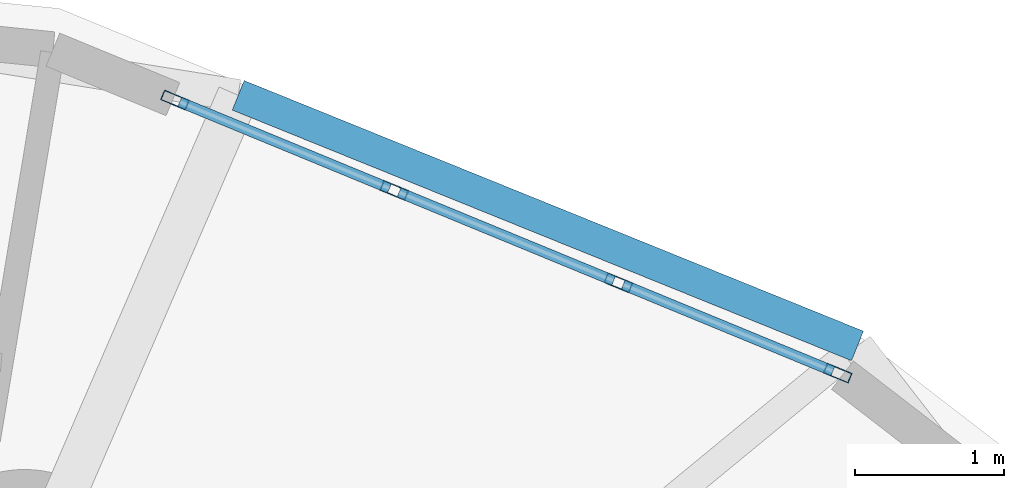
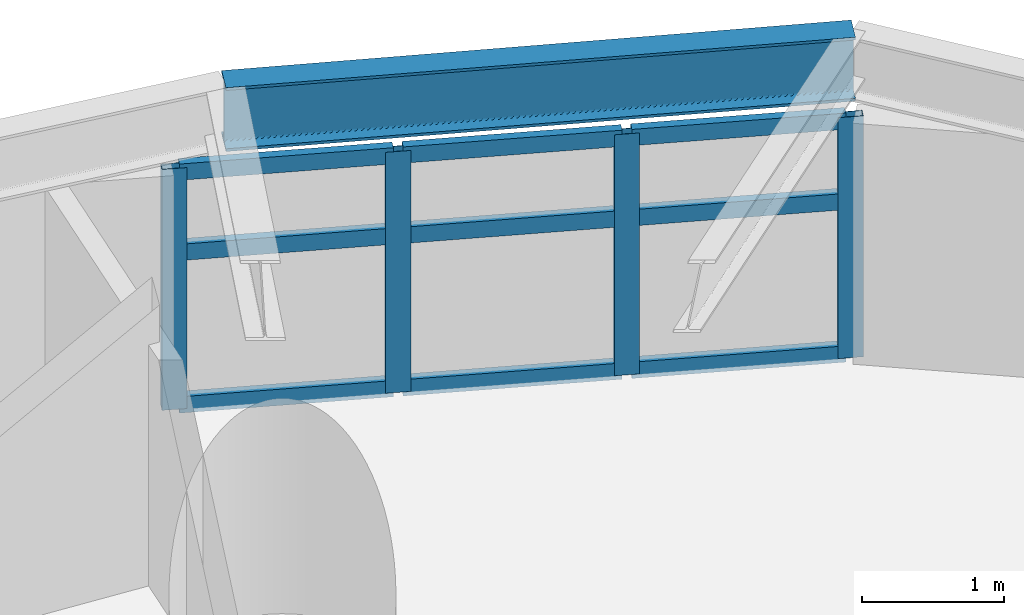
# One storey, part 7 of 20: 13 members, 1 beam, 1 element without a shape of its own.
"""IFC4 building model written with IfcOpenShell, lengths in metres."""

from ifc_helpers import new_model, si_unit, direction, frame, origin, origin_2d, place, context, subcontext, project, spatial, hollow_rectangle, i_section, extrude, material, layer, layer_set, material_profile, profile_set, type_object, element, aggregate, save


model = new_model("IFC4")

# Units and contexts
model_context = context("Model", 3, precision=1e-05, world=origin(), true_north=direction((0.0, 1.0)))
body_context = subcontext(model_context, "Body", "Model", "MODEL_VIEW")
ifc_project = project(units=[si_unit("LENGTHUNIT", "METRE"), si_unit("AREAUNIT", "SQUARE_METRE"), si_unit("VOLUMEUNIT", "CUBIC_METRE"), si_unit("PLANEANGLEUNIT", "RADIAN"), si_unit("MASSUNIT", "GRAM", prefix="KILO")], contexts=[model_context])

# Site, building, storey
site_placement = place(None, origin())
site = spatial("IfcSite", under=ifc_project, at=site_placement, CompositionType="ELEMENT")
building_placement = place(site_placement, origin())
building = spatial("IfcBuilding", under=site, at=building_placement, Name="Cununo Teusaquillo Station Towers", CompositionType="ELEMENT")
storey_placement = place(building_placement, frame((0.0, 0.0, 39.4599609375)))
storey = spatial("IfcBuildingStorey", under=building, at=storey_placement, Name="L11", CompositionType="ELEMENT", Elevation=39.4599609375)

# Beam
ifc_material_1 = material(Name="Steel ASTM A572 Grade 50", Category="steel")
ifc_material_profile_1 = material_profile(ifc_material_1, i_section(OverallWidth=0.214111328125, OverallDepth=0.549072265625, WebThickness=0.0146484375, FlangeThickness=0.023681640625, FilletRadius=0.014892578125, at=origin_2d()), Name="W21X93")
ifc_profile_set_1 = profile_set([ifc_material_profile_1], Name="Steel ASTM A572 Grade 50")
beam_type = type_object("IfcBeamType", Name="BM-RING-Z1", PredefinedType="SPANDREL", material=ifc_profile_set_1)
beam_placement = place(storey_placement, frame((63.8779296875, 39.26416015625, 2.37548828125), z_axis=(-0.926969821386, 0.375135909025, 0.0), x_axis=(-0.375135909025, -0.926969821386, 0.0)))
element("IfcBeam", 1, at=beam_placement, inside=storey, type_object=beam_type, Name="L11 Tower B Spandrel Ring Beam 02", PredefinedType="SPANDREL", context=body_context, shape_type="SweptSolid", body=[
    extrude(i_section(OverallWidth=0.214111328125, OverallDepth=0.549072265625, WebThickness=0.0146484375, FlangeThickness=0.023681640625, FilletRadius=0.014892578125, at=origin_2d()), origin(), (0.0, 0.0, 1.0), 4.480712890625),
])

# Curtain wall, members
ifc_material_2 = material(Name="Ceramic-fritted dark low-E double glazing", Category="glass")
ifc_layer = layer(ifc_material_2, 0.179931640625)
ifc_layer_set = layer_set([ifc_layer], Name="Ceramic-fritted dark low-E double glazing")
curtain_wall_type = type_object("IfcCurtainWallType", Name="CW-SYS-02", PredefinedType="USERDEFINED", material=ifc_layer_set)
curtain_wall_placement = place(storey_placement, origin())
curtain_wall = element("IfcCurtainWall", 2, at=curtain_wall_placement, inside=storey, type_object=curtain_wall_type, Name="L11 Tower B Facade Curtain Wall C01", ObjectType="FRITTED GLAZING", PredefinedType="USERDEFINED")
ifc_material_3 = material(Name="Anodised dark bronze aluminium EN AW-6063-T6", Category="aluminium")
ifc_material_profile_2 = material_profile(ifc_material_3, hollow_rectangle(XDim=0.070068359375, YDim=0.179931640625, WallThickness=0.00390625, at=origin_2d()), Name="CW-MULL-70x180")
ifc_profile_set_2 = profile_set([ifc_material_profile_2], Name="Anodised dark bronze aluminium EN AW-6063-T6")
member_type_1 = type_object("IfcMemberType", Name="CWM-180", PredefinedType="MULLION", material=ifc_profile_set_2)
member_1_placement = place(storey_placement, frame((59.30029296875, 40.91357421875, 0.0), z_axis=(0.0, 0.0, 1.0), x_axis=(0.381054980568, 0.924552379146, 0.0)))
member_1 = element("IfcMember", 3, at=member_1_placement, type_object=member_type_1, Name="CW-02 mullion 1", PredefinedType="MULLION", context=body_context, shape_type="SweptSolid", body=[
    extrude(hollow_rectangle(XDim=0.070068359375, YDim=0.179931640625, WallThickness=0.00390625, at=origin_2d()), origin(), (0.0, 0.0, 1.0), 2.072998046875),
])
member_2_placement = place(storey_placement, frame((60.771240234375, 40.307373046875, 0.0), z_axis=(0.0, 0.0, 1.0), x_axis=(0.381054980568, 0.924552379146, 0.0)))
member_2 = element("IfcMember", 4, at=member_2_placement, type_object=member_type_1, Name="CW-02 mullion 2", PredefinedType="MULLION", context=body_context, shape_type="SweptSolid", body=[
    extrude(hollow_rectangle(XDim=0.070068359375, YDim=0.179931640625, WallThickness=0.00390625, at=origin_2d()), origin(), (0.0, 0.0, 1.0), 2.072998046875),
])
member_3_placement = place(storey_placement, frame((62.274658203125, 39.687744140625, 0.0), z_axis=(0.0, 0.0, 1.0), x_axis=(0.381054980568, 0.924552379146, 0.0)))
member_3 = element("IfcMember", 5, at=member_3_placement, type_object=member_type_1, Name="CW-02 mullion 3", PredefinedType="MULLION", context=body_context, shape_type="SweptSolid", body=[
    extrude(hollow_rectangle(XDim=0.070068359375, YDim=0.179931640625, WallThickness=0.00390625, at=origin_2d()), origin(), (0.0, 0.0, 1.0), 2.072998046875),
])
member_4_placement = place(storey_placement, frame((63.74560546875, 39.08154296875, 0.0), z_axis=(0.0, 0.0, 1.0), x_axis=(0.381054980568, 0.924552379146, 0.0)))
member_4 = element("IfcMember", 6, at=member_4_placement, type_object=member_type_1, Name="CW-02 mullion 4", PredefinedType="MULLION", context=body_context, shape_type="SweptSolid", body=[
    extrude(hollow_rectangle(XDim=0.070068359375, YDim=0.179931640625, WallThickness=0.00390625, at=origin_2d()), origin(), (0.0, 0.0, 1.0), 2.072998046875),
])
ifc_material_4 = material(Name="Anodised dark bronze aluminium EN AW-6063-T6", Category="aluminium")
ifc_material_profile_3 = material_profile(ifc_material_4, hollow_rectangle(XDim=0.070068359375, YDim=0.139892578125, WallThickness=0.00390625, at=origin_2d()), Name="CW-TRAN-70x140")
ifc_profile_set_3 = profile_set([ifc_material_profile_3], Name="Anodised dark bronze aluminium EN AW-6063-T6")
member_type_2 = type_object("IfcMemberType", Name="CWT-140", PredefinedType="USERDEFINED", material=ifc_profile_set_3)
member_5_placement = place(storey_placement, frame((59.33251953125, 40.900390625, 0.03515625), z_axis=(0.924551727134, -0.381056562538, 0.0), x_axis=(0.381056562538, 0.924551727134, 0.0)))
member_5 = element("IfcMember", 7, at=member_5_placement, type_object=member_type_2, Name="CW-02 transom 1.1", ObjectType="TRANSOM", PredefinedType="USERDEFINED", context=body_context, shape_type="SweptSolid", body=[
    extrude(hollow_rectangle(XDim=0.070068359375, YDim=0.139892578125, WallThickness=0.00390625, at=origin_2d()), origin(), (0.0, 0.0, 1.0), 1.52099609375),
])
member_6_placement = place(storey_placement, frame((59.33251953125, 40.900390625, 1.346923828125), z_axis=(0.924551727134, -0.381056562538, 0.0), x_axis=(0.381056562538, 0.924551727134, 0.0)))
member_6 = element("IfcMember", 8, at=member_6_placement, type_object=member_type_2, Name="CW-02 transom 1.2", ObjectType="TRANSOM", PredefinedType="USERDEFINED", context=body_context, shape_type="SweptSolid", body=[
    extrude(hollow_rectangle(XDim=0.070068359375, YDim=0.139892578125, WallThickness=0.00390625, at=origin_2d()), origin(), (0.0, 0.0, 1.0), 1.52099609375),
])
member_7_placement = place(storey_placement, frame((59.33251953125, 40.900390625, 2.0380859375), z_axis=(0.924551727134, -0.381056562538, 0.0), x_axis=(0.381056562538, 0.924551727134, 0.0)))
member_7 = element("IfcMember", 9, at=member_7_placement, type_object=member_type_2, Name="CW-02 transom 1.3", ObjectType="TRANSOM", PredefinedType="USERDEFINED", context=body_context, shape_type="SweptSolid", body=[
    extrude(hollow_rectangle(XDim=0.070068359375, YDim=0.139892578125, WallThickness=0.00390625, at=origin_2d()), origin(), (0.0, 0.0, 1.0), 1.52099609375),
])
member_8_placement = place(storey_placement, frame((60.8037109375, 40.2939453125, 0.03515625), z_axis=(0.924574069504, -0.381002349076, 0.0), x_axis=(0.381002349076, 0.924574069504, 0.0)))
member_8 = element("IfcMember", 10, at=member_8_placement, type_object=member_type_2, Name="CW-02 transom 2.1", ObjectType="TRANSOM", PredefinedType="USERDEFINED", context=body_context, shape_type="SweptSolid", body=[
    extrude(hollow_rectangle(XDim=0.070068359375, YDim=0.139892578125, WallThickness=0.00390625, at=origin_2d()), origin(), (0.0, 0.0, 1.0), 1.555908203125),
])
member_9_placement = place(storey_placement, frame((60.8037109375, 40.2939453125, 1.346923828125), z_axis=(0.924574069504, -0.381002349076, 0.0), x_axis=(0.381002349076, 0.924574069504, 0.0)))
member_9 = element("IfcMember", 11, at=member_9_placement, type_object=member_type_2, Name="CW-02 transom 2.2", ObjectType="TRANSOM", PredefinedType="USERDEFINED", context=body_context, shape_type="SweptSolid", body=[
    extrude(hollow_rectangle(XDim=0.070068359375, YDim=0.139892578125, WallThickness=0.00390625, at=origin_2d()), origin(), (0.0, 0.0, 1.0), 1.555908203125),
])
member_10_placement = place(storey_placement, frame((60.8037109375, 40.2939453125, 2.0380859375), z_axis=(0.924574069504, -0.381002349076, 0.0), x_axis=(0.381002349076, 0.924574069504, 0.0)))
member_10 = element("IfcMember", 12, at=member_10_placement, type_object=member_type_2, Name="CW-02 transom 2.3", ObjectType="TRANSOM", PredefinedType="USERDEFINED", context=body_context, shape_type="SweptSolid", body=[
    extrude(hollow_rectangle(XDim=0.070068359375, YDim=0.139892578125, WallThickness=0.00390625, at=origin_2d()), origin(), (0.0, 0.0, 1.0), 1.555908203125),
])
member_11_placement = place(storey_placement, frame((62.306884765625, 39.674560546875, 0.03515625), z_axis=(0.924551727134, -0.381056562538, 0.0), x_axis=(0.381056562538, 0.924551727134, 0.0)))
member_11 = element("IfcMember", 13, at=member_11_placement, type_object=member_type_2, Name="CW-02 transom 3.1", ObjectType="TRANSOM", PredefinedType="USERDEFINED", context=body_context, shape_type="SweptSolid", body=[
    extrude(hollow_rectangle(XDim=0.070068359375, YDim=0.139892578125, WallThickness=0.00390625, at=origin_2d()), origin(), (0.0, 0.0, 1.0), 1.52099609375),
])
member_12_placement = place(storey_placement, frame((62.306884765625, 39.674560546875, 1.346923828125), z_axis=(0.924551727134, -0.381056562538, 0.0), x_axis=(0.381056562538, 0.924551727134, 0.0)))
member_12 = element("IfcMember", 14, at=member_12_placement, type_object=member_type_2, Name="CW-02 transom 3.2", ObjectType="TRANSOM", PredefinedType="USERDEFINED", context=body_context, shape_type="SweptSolid", body=[
    extrude(hollow_rectangle(XDim=0.070068359375, YDim=0.139892578125, WallThickness=0.00390625, at=origin_2d()), origin(), (0.0, 0.0, 1.0), 1.52099609375),
])
member_13_placement = place(storey_placement, frame((62.306884765625, 39.674560546875, 2.0380859375), z_axis=(0.924551727134, -0.381056562538, 0.0), x_axis=(0.381056562538, 0.924551727134, 0.0)))
member_13 = element("IfcMember", 15, at=member_13_placement, type_object=member_type_2, Name="CW-02 transom 3.3", ObjectType="TRANSOM", PredefinedType="USERDEFINED", context=body_context, shape_type="SweptSolid", body=[
    extrude(hollow_rectangle(XDim=0.070068359375, YDim=0.139892578125, WallThickness=0.00390625, at=origin_2d()), origin(), (0.0, 0.0, 1.0), 1.52099609375),
])
aggregate(curtain_wall, [member_1, member_2, member_3, member_4, member_5, member_6, member_7, member_8, member_9, member_10, member_11, member_12, member_13])

save(model, "model.ifc")
